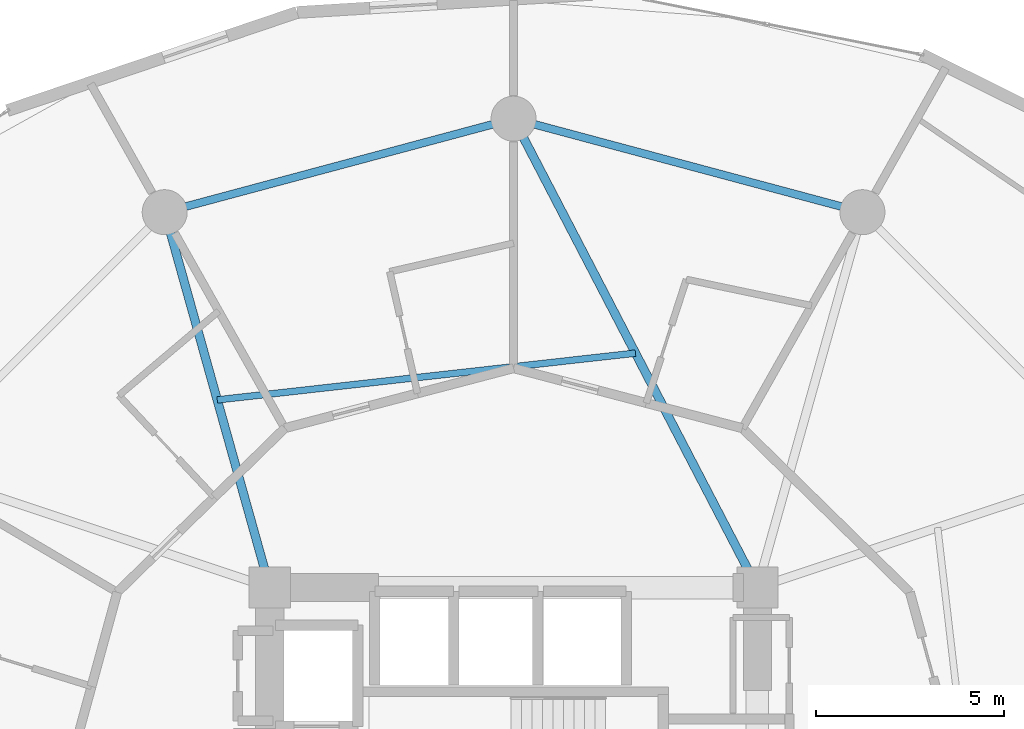
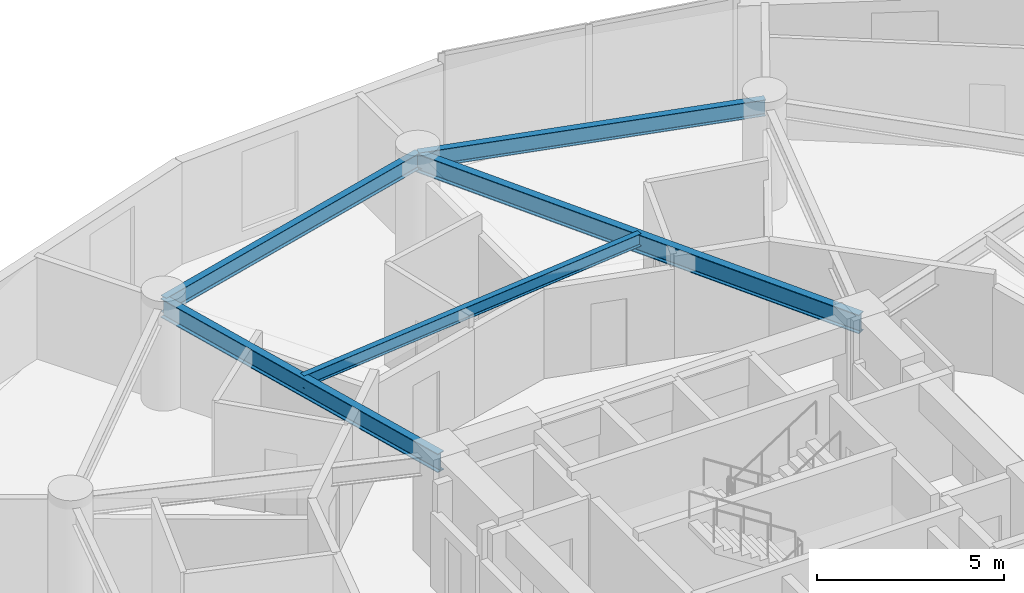
# One storey, part 14 of 26: 5 beams.
"""IFC4 building model written with IfcOpenShell, lengths in metres."""

from ifc_helpers import new_model, si_unit, direction, frame, origin, origin_2d, place, context, subcontext, project, spatial, i_section, extrude, material, material_profile, profile_set, type_object, element, save


model = new_model("IFC4")

# Units and contexts
model_context = context("Model", 3, precision=1e-05, world=origin(), true_north=direction((0.0, 1.0)))
body_context = subcontext(model_context, "Body", "Model", "MODEL_VIEW")
ifc_project = project(units=[si_unit("LENGTHUNIT", "METRE"), si_unit("AREAUNIT", "SQUARE_METRE"), si_unit("VOLUMEUNIT", "CUBIC_METRE"), si_unit("PLANEANGLEUNIT", "RADIAN"), si_unit("MASSUNIT", "GRAM", prefix="KILO")], contexts=[model_context])

# Site, building, storey
site_placement = place(None, origin())
site = spatial("IfcSite", under=ifc_project, at=site_placement, CompositionType="ELEMENT")
building_placement = place(site_placement, origin())
building = spatial("IfcBuilding", under=site, at=building_placement, Name="Solvirekh Grand Hotel", CompositionType="ELEMENT")
storey_placement = place(building_placement, frame((0.0, 0.0, 32.0)))
storey = spatial("IfcBuildingStorey", under=building, at=storey_placement, Name="L06", CompositionType="ELEMENT", Elevation=32.0)

# Beams
ifc_material = material(Name="Steel S355", Category="steel")
ifc_material_profile_1 = material_profile(ifc_material, i_section(OverallWidth=0.22998046875, OverallDepth=0.615966796875, WebThickness=0.013916015625, FlangeThickness=0.02392578125, FilletRadius=0.014892578125, at=origin_2d()), Name="W610X174")
ifc_profile_set_1 = profile_set([ifc_material_profile_1], Name="Steel S355")
beam_type_1 = type_object("IfcBeamType", Name="Beam_Primary_W610H", PredefinedType="BEAM", material=ifc_profile_set_1)
beam_1_placement = place(storey_placement, frame((6.5, 6.10009765625, 3.031982421875), z_axis=(-0.461352736642, 0.887216801235, 0.0), x_axis=(-0.887216801235, -0.461352736642, 0.0)))
element("IfcBeam", 1, at=beam_1_placement, inside=storey, type_object=beam_type_1, Name="L06 radial floor beam R04", PredefinedType="BEAM", context=body_context, shape_type="SweptSolid", body=[
    extrude(i_section(OverallWidth=0.22998046875, OverallDepth=0.615966796875, WebThickness=0.013916015625, FlangeThickness=0.02392578125, FilletRadius=0.014892578125, at=origin_2d()), origin(), (0.0, 0.0, 1.0), 14.089111328125),
])
beam_2_placement = place(storey_placement, frame((-6.5, 6.10009765625, 3.031982421875), z_axis=(-0.269439084681, 0.963017434757, 0.0), x_axis=(-0.963017434757, -0.269439084681, 0.0)))
element("IfcBeam", 2, at=beam_2_placement, inside=storey, type_object=beam_type_1, Name="L06 radial floor beam R05", PredefinedType="BEAM", context=body_context, shape_type="SweptSolid", body=[
    extrude(i_section(OverallWidth=0.22998046875, OverallDepth=0.615966796875, WebThickness=0.013916015625, FlangeThickness=0.02392578125, FilletRadius=0.014892578125, at=origin_2d()), origin(), (0.0, 0.0, 1.0), 10.39208984375),
])
ifc_material_profile_2 = material_profile(ifc_material, i_section(OverallWidth=0.177978515625, OverallDepth=0.406982421875, WebThickness=0.008056640625, FlangeThickness=0.011962890625, FilletRadius=0.011962890625, at=origin_2d()), Name="W410X60")
ifc_profile_set_2 = profile_set([ifc_material_profile_2], Name="Steel S355")
beam_type_2 = type_object("IfcBeamType", Name="Joist_Floor_W410", PredefinedType="JOIST", material=ifc_profile_set_2)
beam_3_placement = place(storey_placement, frame((3.25, 12.35009765625, 3.136962890625), z_axis=(-0.99381294191, -0.111066810937, 0.0), x_axis=(0.111066810937, -0.99381294191, 0.0)))
element("IfcBeam", 3, at=beam_3_placement, inside=storey, type_object=beam_type_2, Name="L06 secondary composite floor joist 4", PredefinedType="JOIST", context=body_context, shape_type="SweptSolid", body=[
    extrude(i_section(OverallWidth=0.177978515625, OverallDepth=0.406982421875, WebThickness=0.008056640625, FlangeThickness=0.011962890625, FilletRadius=0.011962890625, at=origin_2d()), origin(), (0.0, 0.0, 1.0), 11.21923828125),
])
ifc_material_profile_3 = material_profile(ifc_material, i_section(OverallWidth=0.208984375, OverallDepth=0.532958984375, WebThickness=0.010009765625, FlangeThickness=0.014892578125, FilletRadius=0.013916015625, at=origin_2d()), Name="W530X92")
ifc_profile_set_3 = profile_set([ifc_material_profile_3], Name="Steel S355")
beam_type_3 = type_object("IfcBeamType", Name="Spandrel_Ring_W530", PredefinedType="SPANDREL", material=ifc_profile_set_3)
for number, where, z_axis, x_axis, name in (
    (4, (9.300048828125, 16.10791015625, 3.073974609375), (-0.965919414426, 0.258842973314, 0.0), (-0.258842973314, -0.965919414426, 0.0), "L06 perimeter spandrel beam 3"),
    (5, (0.0, 18.60009765625, 3.073974609375), (-0.965919414426, -0.258842973314, 0.0), (0.258842973314, -0.965919414426, 0.0), "L06 perimeter spandrel beam 4"),
):
    element("IfcBeam", number, at=place(storey_placement, frame(where, z_axis=z_axis, x_axis=x_axis)), inside=storey, type_object=beam_type_3, Name=name, PredefinedType="SPANDREL", context=body_context, shape_type="SweptSolid", body=[
        extrude(i_section(OverallWidth=0.208984375, OverallDepth=0.532958984375, WebThickness=0.010009765625, FlangeThickness=0.014892578125, FilletRadius=0.013916015625, at=origin_2d()), origin(), (0.0, 0.0, 1.0), 9.628173828125),
    ])

save(model, "model.ifc")
